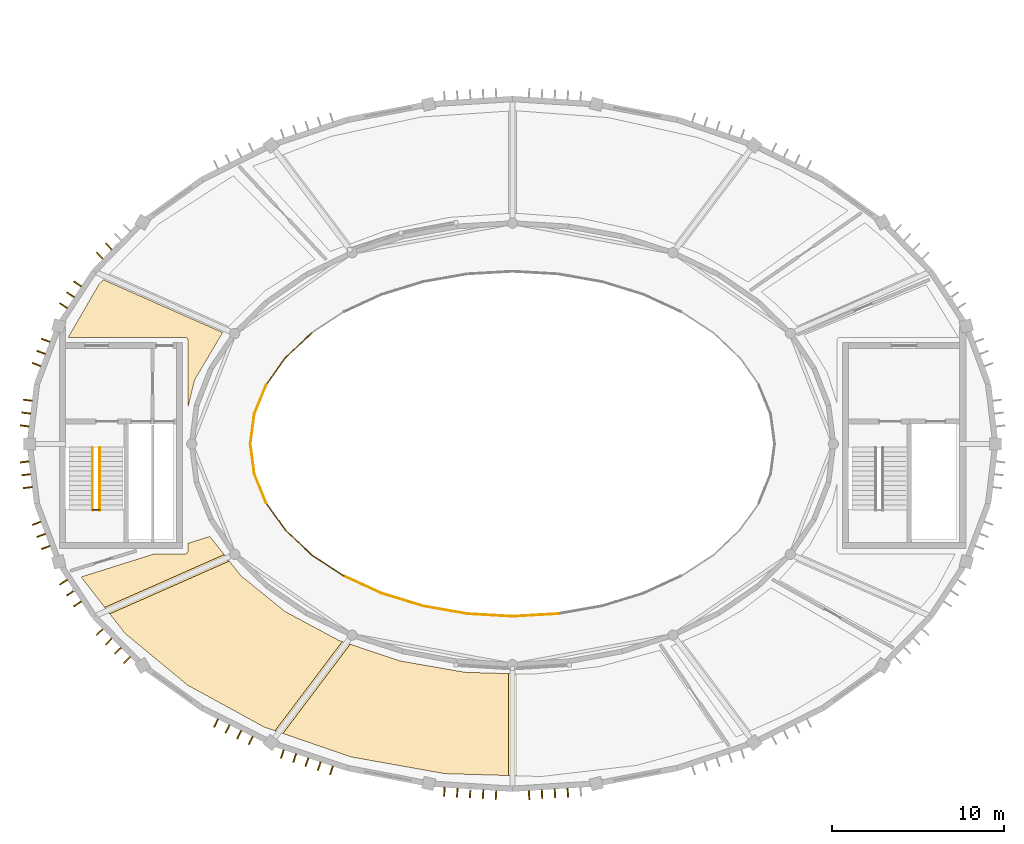
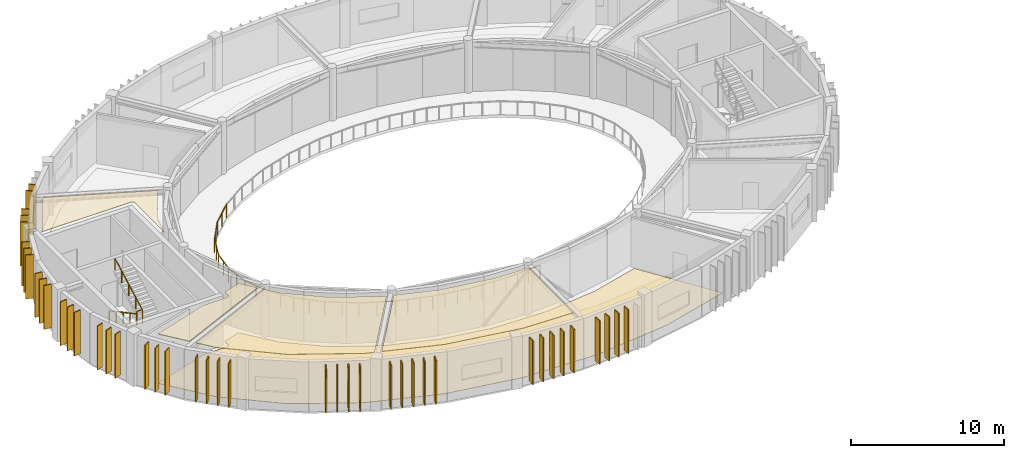
# One storey, part 24 of 29: 42 shading devices, 17 railings, 5 coverings.
"""IFC4 building model written with IfcOpenShell, lengths in metres."""

from ifc_helpers import new_model, si_unit, direction, frame, origin, origin_2d, place, context, subcontext, project, spatial, polyline, rectangle, circle, outline, extrude, material, layer, layer_set, type_object, element, save


model = new_model("IFC4")

# Units and contexts
model_context = context("Model", 3, precision=1e-05, world=origin(), true_north=direction((0.0, 1.0)))
body_context = subcontext(model_context, "Body", "Model", "MODEL_VIEW")
ifc_project = project(units=[si_unit("LENGTHUNIT", "METRE"), si_unit("AREAUNIT", "SQUARE_METRE"), si_unit("VOLUMEUNIT", "CUBIC_METRE"), si_unit("PLANEANGLEUNIT", "RADIAN"), si_unit("MASSUNIT", "GRAM", prefix="KILO")], contexts=[model_context])

# Site, building, storey
site_placement = place(None, origin())
site = spatial("IfcSite", under=ifc_project, at=site_placement, CompositionType="ELEMENT")
building_placement = place(site_placement, origin())
building = spatial("IfcBuilding", under=site, at=building_placement, Name="Tarnveldt Headland Concert Hall", CompositionType="ELEMENT")
storey_placement = place(building_placement, frame((0.0, 0.0, 18.60009765625)))
storey = spatial("IfcBuildingStorey", under=building, at=storey_placement, Name="L04", CompositionType="ELEMENT", Elevation=18.60009765625)

# Coverings
ifc_material_1 = material(Name="Micro-perforated mvule acoustic ceiling panel", Category="timber")
ifc_layer_1 = layer(ifc_material_1, 0.050048828125, Name="Micro-perforated mvule acoustic ceiling panel", Category="timber")
ifc_layer_set_1 = layer_set([ifc_layer_1], Name="Micro-perforated mvule acoustic ceiling panel")
covering_type_1 = type_object("IfcCoveringType", Name="CV-CEIL50", PredefinedType="CEILING", material=ifc_layer_set_1)
covering_1_placement = place(storey_placement, frame((0.0, 0.0, 3.929931640625)))
element("IfcCovering", 1, at=covering_1_placement, inside=storey, type_object=covering_type_1, Name="Acoustic mvule ceiling L04-06-327", PredefinedType="CEILING", context=body_context, shape_type="SweptSolid", body=[
    extrude(outline(polyline([(67.775390625, 46.836181640625), (70.30810546875, 44.78515625), (70.32177734375, 44.775146484375), (70.336181640625, 44.766357421875), (73.4169921875, 43.11669921875), (73.430419921875, 43.110107421875), (73.4443359375, 43.104736328125), (73.630859375, 43.0419921875), (69.73046875, 37.8671875), (69.10205078125, 38.08349609375), (64.671630859375, 40.5048828125), (61.03466796875, 43.51123046875), (60.151611328125, 44.646728515625), (67.05615234375, 47.699951171875), (67.084228515625, 47.699951171875), (67.747802734375, 46.864013671875), (67.7607421875, 46.849365234375), (67.775390625, 46.836181640625)])), origin(), (0.0, 0.0, 1.0), 0.050048828125),
])
covering_2_placement = place(storey_placement, frame((0.0, 0.0, 3.929931640625)))
element("IfcCovering", 2, at=covering_2_placement, inside=storey, type_object=covering_type_1, Name="Acoustic mvule ceiling L04-06-328", PredefinedType="CEILING", context=body_context, shape_type="SweptSolid", body=[
    extrude(outline(polyline([(76.970703125, 41.918701171875), (80.74267578125, 41.25927734375), (80.768310546875, 41.256591796875), (83.27001953125, 41.1845703125), (83.27001953125, 35.272705078125), (79.572509765625, 35.38134765625), (74.139892578125, 36.350830078125), (70.18798828125, 37.7099609375), (74.090087890625, 42.88720703125), (76.944091796875, 41.925537109375), (76.957275390625, 41.921630859375), (76.970703125, 41.918701171875)])), origin(), (0.0, 0.0, 1.0), 0.050048828125),
])
covering_3_placement = place(storey_placement, frame((0.0, 0.0, 3.929931640625)))
element("IfcCovering", 3, at=covering_3_placement, inside=storey, type_object=covering_type_1, Name="Acoustic mvule ceiling L04-06-330", PredefinedType="CEILING", context=body_context, shape_type="SweptSolid", body=[
    extrude(outline(polyline([(64.517578125, 48.120849609375), (64.53515625, 48.12353515625), (64.55224609375, 48.127685546875), (64.56884765625, 48.1337890625), (64.5849609375, 48.141357421875), (64.60009765625, 48.150390625), (64.6142578125, 48.160888671875), (64.627197265625, 48.172607421875), (64.63916015625, 48.185791015625), (64.649658203125, 48.199951171875), (64.65869140625, 48.215087890625), (64.666259765625, 48.231201171875), (64.672119140625, 48.247802734375), (64.676513671875, 48.264892578125), (64.67919921875, 48.282470703125), (64.679931640625, 48.300048828125), (64.679931640625, 48.735107421875), (65.9462890625, 49.133544921875), (66.781494140625, 48.08154296875), (59.860595703125, 45.02099609375), (58.4873046875, 46.78662109375), (62.72509765625, 48.1201171875), (64.5, 48.1201171875), (64.517578125, 48.120849609375)])), origin(), (0.0, 0.0, 1.0), 0.050048828125),
])
covering_4_placement = place(storey_placement, frame((0.0, 0.0, 3.929931640625)))
element("IfcCovering", 4, at=covering_4_placement, inside=storey, type_object=covering_type_1, Name="Acoustic mvule ceiling L04-10-339", PredefinedType="CEILING", context=body_context, shape_type="SweptSolid", body=[
    extrude(outline(polyline([(66.682373046875, 60.936767578125), (66.674072265625, 60.923828125), (65.0810546875, 58.22998046875), (65.072998046875, 58.21435546875), (65.066162109375, 58.197998046875), (65.061279296875, 58.181396484375), (64.679931640625, 56.626708984375), (64.679931640625, 60.5), (64.67919921875, 60.517578125), (64.676513671875, 60.53515625), (64.672119140625, 60.55224609375), (64.666259765625, 60.56884765625), (64.65869140625, 60.5849609375), (64.649658203125, 60.60009765625), (64.63916015625, 60.6142578125), (64.627197265625, 60.627197265625), (64.6142578125, 60.63916015625), (64.60009765625, 60.649658203125), (64.5849609375, 60.65869140625), (64.56884765625, 60.666259765625), (64.55224609375, 60.672119140625), (64.53515625, 60.676513671875), (64.517578125, 60.67919921875), (64.5, 60.679931640625), (57.73974609375, 60.679931640625), (59.514892578125, 63.744384765625), (59.781494140625, 64.01416015625), (66.697998046875, 60.955322265625), (66.691650390625, 60.94873046875), (66.682373046875, 60.936767578125)])), origin(), (0.0, 0.0, 1.0), 0.050048828125),
])
ifc_material_2 = material(Name="Polished coral-aggregate cementitious terrazzo flooring", Category="concrete")
ifc_layer_2 = layer(ifc_material_2, 0.034912109375, Name="Polished coral-aggregate cementitious terrazzo flooring", Category="concrete")
ifc_layer_set_2 = layer_set([ifc_layer_2], Name="Polished coral-aggregate cementitious terrazzo flooring")
covering_type_2 = type_object("IfcCoveringType", Name="CV-FLOR35", PredefinedType="FLOORING", material=ifc_layer_set_2)
covering_5_placement = place(storey_placement, origin())
element("IfcCovering", 5, at=covering_5_placement, inside=storey, type_object=covering_type_2, Name="Architectural flooring L04-06-116", PredefinedType="FLOORING", context=body_context, shape_type="SweptSolid", body=[
    extrude(outline(polyline([(66.991943359375, 47.699951171875), (67.084228515625, 47.699951171875), (67.747802734375, 46.864013671875), (67.7607421875, 46.849365234375), (67.775390625, 46.836181640625), (70.30810546875, 44.78515625), (70.32177734375, 44.775146484375), (70.336181640625, 44.766357421875), (73.4169921875, 43.11669921875), (73.430419921875, 43.110107421875), (73.4443359375, 43.104736328125), (76.944091796875, 41.925537109375), (76.957275390625, 41.921630859375), (76.970703125, 41.918701171875), (80.74267578125, 41.25927734375), (80.768310546875, 41.256591796875), (84.65478515625, 41.144775390625), (84.680419921875, 41.145751953125), (88.51806640625, 41.5859375), (88.53125, 41.587890625), (88.544189453125, 41.591064453125), (92.049560546875, 42.531982421875), (95.69287109375, 37.232177734375), (90.698974609375, 35.86376953125), (85.1708984375, 35.216796875), (79.572509765625, 35.38134765625), (74.139892578125, 36.350830078125), (69.10205078125, 38.08349609375), (64.671630859375, 40.5048828125), (61.03466796875, 43.51123046875), (58.4873046875, 46.78662109375), (62.72509765625, 48.1201171875), (64.5, 48.1201171875), (64.517578125, 48.120849609375), (64.53515625, 48.12353515625), (64.55224609375, 48.127685546875), (64.56884765625, 48.1337890625), (64.5849609375, 48.141357421875), (64.60009765625, 48.150390625), (64.6142578125, 48.160888671875), (64.627197265625, 48.172607421875), (64.63916015625, 48.185791015625), (64.649658203125, 48.199951171875), (64.65869140625, 48.215087890625), (64.666259765625, 48.231201171875), (64.672119140625, 48.247802734375), (64.676513671875, 48.264892578125), (64.67919921875, 48.282470703125), (64.679931640625, 48.300048828125), (64.679931640625, 48.735107421875), (65.9462890625, 49.133544921875), (66.991943359375, 47.81640625), (66.991943359375, 47.699951171875)])), origin(), (0.0, 0.0, 1.0), 0.034912109375),
])

# Railings
ifc_material_3 = material(Name="Marine stainless steel", Category="steel")
ifc_layer_3 = layer(ifc_material_3, 0.06005859375, Name="Marine stainless steel", Category="steel")
ifc_layer_set_3 = layer_set([ifc_layer_3], Name="Marine stainless steel")
railing_type_1 = type_object("IfcRailingType", Name="RL-GRD110", PredefinedType="GUARDRAIL", material=ifc_layer_set_3)
railing_1_placement = place(storey_placement, frame((59.14990234375, 50.679931640625, 2.099853515625)))
element("IfcRailing", 6, at=railing_1_placement, inside=storey, type_object=railing_type_1, Name="GUARD STR-C1-L04 half-landing well", PredefinedType="GUARDRAIL", context=body_context, shape_type="SweptSolid", body=[
    extrude(circle(Radius=0.02392578125, at=origin_2d()), frame((0.0, 0.0, 1.076171875), z_axis=(1.0, 0.0, 0.0), x_axis=(0.0, 1.0, 0.0)), (0.0, 0.0, 1.0), 0.420166015625),
    extrude(circle(Radius=0.02099609375, at=origin_2d()), origin(), (0.0, 0.0, 1.0), 1.052001953125),
    extrude(circle(Radius=0.02099609375, at=origin_2d()), frame((0.420166015625, 0.0, 0.0)), (0.0, 0.0, 1.0), 1.052001953125),
])
railing_2_placement = place(storey_placement, frame((71.856201171875, 60.927978515625, 0.0)))
element("IfcRailing", 7, at=railing_2_placement, inside=storey, type_object=railing_type_1, Name="GUARD Auditorium void guardrail L04 15", PredefinedType="GUARDRAIL", context=body_context, shape_type="SweptSolid", body=[
    extrude(circle(Radius=0.02392578125, at=origin_2d()), frame((0.0, 0.0, 1.076171875), z_axis=(-0.728773712747, -0.684754609776, 0.0), x_axis=(0.684754609776, -0.728773712747, 0.0)), (0.0, 0.0, 1.0), 2.08544921875),
    extrude(circle(Radius=0.02099609375, at=origin_2d()), origin(), (0.0, 0.0, 1.0), 1.052001953125),
    extrude(circle(Radius=0.02099609375, at=origin_2d()), frame((-0.759765625, -0.7138671875, 0.0)), (0.0, 0.0, 1.0), 1.052001953125),
    extrude(circle(Radius=0.02099609375, at=origin_2d()), frame((-1.519775390625, -1.427978515625, 0.0)), (0.0, 0.0, 1.0), 1.052001953125),
])
railing_3_placement = place(storey_placement, frame((70.33642578125, 59.5, 0.0)))
element("IfcRailing", 8, at=railing_3_placement, inside=storey, type_object=railing_type_1, Name="GUARD Auditorium void guardrail L04 16", PredefinedType="GUARDRAIL", context=body_context, shape_type="SweptSolid", body=[
    extrude(circle(Radius=0.02392578125, at=origin_2d()), frame((0.0, 0.0, 1.076171875), z_axis=(-0.578216724182, -0.815883214606, 0.0), x_axis=(0.815883214606, -0.578216724182, 0.0)), (0.0, 0.0, 1.0), 1.936279296875),
    extrude(circle(Radius=0.02099609375, at=origin_2d()), origin(), (0.0, 0.0, 1.0), 1.052001953125),
    extrude(circle(Radius=0.02099609375, at=origin_2d()), frame((-0.559814453125, -0.7900390625, 0.0)), (0.0, 0.0, 1.0), 1.052001953125),
    extrude(circle(Radius=0.02099609375, at=origin_2d()), frame((-1.11962890625, -1.579833984375, 0.0)), (0.0, 0.0, 1.0), 1.052001953125),
])
railing_4_placement = place(storey_placement, frame((69.216796875, 57.920166015625, 0.0)))
element("IfcRailing", 9, at=railing_4_placement, inside=storey, type_object=railing_type_1, Name="GUARD Auditorium void guardrail L04 17", PredefinedType="GUARDRAIL", context=body_context, shape_type="SweptSolid", body=[
    extrude(circle(Radius=0.02392578125, at=origin_2d()), frame((0.0, 0.0, 1.076171875), z_axis=(-0.377241429706, -0.926114951674, 0.0), x_axis=(0.926114951674, -0.377241429706, 0.0)), (0.0, 0.0, 1.0), 1.81787109375),
    extrude(circle(Radius=0.02099609375, at=origin_2d()), origin(), (0.0, 0.0, 1.0), 1.052001953125),
    extrude(circle(Radius=0.02099609375, at=origin_2d()), frame((-0.3427734375, -0.841796875, 0.0)), (0.0, 0.0, 1.0), 1.052001953125),
    extrude(circle(Radius=0.02099609375, at=origin_2d()), frame((-0.685791015625, -1.68359375, 0.0)), (0.0, 0.0, 1.0), 1.052001953125),
])
railing_5_placement = place(storey_placement, frame((68.531005859375, 56.236572265625, 0.0)))
element("IfcRailing", 10, at=railing_5_placement, inside=storey, type_object=railing_type_1, Name="GUARD Auditorium void guardrail L04 18", PredefinedType="GUARDRAIL", context=body_context, shape_type="SweptSolid", body=[
    extrude(circle(Radius=0.02392578125, at=origin_2d()), frame((0.0, 0.0, 1.076171875), z_axis=(-0.131835089673, -0.991271662629, 0.0), x_axis=(0.991271662629, -0.131835089673, 0.0)), (0.0, 0.0, 1.0), 1.751953125),
    extrude(circle(Radius=0.02099609375, at=origin_2d()), origin(), (0.0, 0.0, 1.0), 1.052001953125),
    extrude(circle(Radius=0.02099609375, at=origin_2d()), frame((-0.115478515625, -0.8681640625, 0.0)), (0.0, 0.0, 1.0), 1.052001953125),
    extrude(circle(Radius=0.02099609375, at=origin_2d()), frame((-0.23095703125, -1.736572265625, 0.0)), (0.0, 0.0, 1.0), 1.052001953125),
])
railing_6_placement = place(storey_placement, frame((68.300048828125, 54.5, 0.0)))
element("IfcRailing", 11, at=railing_6_placement, inside=storey, type_object=railing_type_1, Name="GUARD Auditorium void guardrail L04 19", PredefinedType="GUARDRAIL", context=body_context, shape_type="SweptSolid", body=[
    extrude(circle(Radius=0.02392578125, at=origin_2d()), frame((0.0, 0.0, 1.076171875), z_axis=(0.131835089673, -0.991271662629, 0.0), x_axis=(0.991271662629, 0.131835089673, 0.0)), (0.0, 0.0, 1.0), 1.751953125),
    extrude(circle(Radius=0.02099609375, at=origin_2d()), origin(), (0.0, 0.0, 1.0), 1.052001953125),
    extrude(circle(Radius=0.02099609375, at=origin_2d()), frame((0.115478515625, -0.8681640625, 0.0)), (0.0, 0.0, 1.0), 1.052001953125),
    extrude(circle(Radius=0.02099609375, at=origin_2d()), frame((0.23095703125, -1.736572265625, 0.0)), (0.0, 0.0, 1.0), 1.052001953125),
])
railing_7_placement = place(storey_placement, frame((68.531005859375, 52.763427734375, 0.0)))
element("IfcRailing", 12, at=railing_7_placement, inside=storey, type_object=railing_type_1, Name="GUARD Auditorium void guardrail L04 20", PredefinedType="GUARDRAIL", context=body_context, shape_type="SweptSolid", body=[
    extrude(circle(Radius=0.02392578125, at=origin_2d()), frame((0.0, 0.0, 1.076171875), z_axis=(0.377241429706, -0.926114951674, 0.0), x_axis=(0.926114951674, 0.377241429706, 0.0)), (0.0, 0.0, 1.0), 1.81787109375),
    extrude(circle(Radius=0.02099609375, at=origin_2d()), origin(), (0.0, 0.0, 1.0), 1.052001953125),
    extrude(circle(Radius=0.02099609375, at=origin_2d()), frame((0.3427734375, -0.841796875, 0.0)), (0.0, 0.0, 1.0), 1.052001953125),
    extrude(circle(Radius=0.02099609375, at=origin_2d()), frame((0.685791015625, -1.68359375, 0.0)), (0.0, 0.0, 1.0), 1.052001953125),
])
railing_8_placement = place(storey_placement, frame((69.216796875, 51.079833984375, 0.0)))
element("IfcRailing", 13, at=railing_8_placement, inside=storey, type_object=railing_type_1, Name="GUARD Auditorium void guardrail L04 21", PredefinedType="GUARDRAIL", context=body_context, shape_type="SweptSolid", body=[
    extrude(circle(Radius=0.02392578125, at=origin_2d()), frame((0.0, 0.0, 1.076171875), z_axis=(0.578216724182, -0.815883214606, 0.0), x_axis=(0.815883214606, 0.578216724182, 0.0)), (0.0, 0.0, 1.0), 1.936279296875),
    extrude(circle(Radius=0.02099609375, at=origin_2d()), origin(), (0.0, 0.0, 1.0), 1.052001953125),
    extrude(circle(Radius=0.02099609375, at=origin_2d()), frame((0.559814453125, -0.7900390625, 0.0)), (0.0, 0.0, 1.0), 1.052001953125),
    extrude(circle(Radius=0.02099609375, at=origin_2d()), frame((1.11962890625, -1.579833984375, 0.0)), (0.0, 0.0, 1.0), 1.052001953125),
])
railing_9_placement = place(storey_placement, frame((70.33642578125, 49.5, 0.0)))
element("IfcRailing", 14, at=railing_9_placement, inside=storey, type_object=railing_type_1, Name="GUARD Auditorium void guardrail L04 22", PredefinedType="GUARDRAIL", context=body_context, shape_type="SweptSolid", body=[
    extrude(circle(Radius=0.02392578125, at=origin_2d()), frame((0.0, 0.0, 1.076171875), z_axis=(0.728773712747, -0.684754609776, 0.0), x_axis=(0.684754609776, 0.728773712747, 0.0)), (0.0, 0.0, 1.0), 2.08544921875),
    extrude(circle(Radius=0.02099609375, at=origin_2d()), origin(), (0.0, 0.0, 1.0), 1.052001953125),
    extrude(circle(Radius=0.02099609375, at=origin_2d()), frame((0.759765625, -0.7138671875, 0.0)), (0.0, 0.0, 1.0), 1.052001953125),
    extrude(circle(Radius=0.02099609375, at=origin_2d()), frame((1.519775390625, -1.427978515625, 0.0)), (0.0, 0.0, 1.0), 1.052001953125),
])
railing_10_placement = place(storey_placement, frame((71.856201171875, 48.072021484375, 0.0)))
element("IfcRailing", 15, at=railing_10_placement, inside=storey, type_object=railing_type_1, Name="GUARD Auditorium void guardrail L04 23", PredefinedType="GUARDRAIL", context=body_context, shape_type="SweptSolid", body=[
    extrude(circle(Radius=0.02392578125, at=origin_2d()), frame((0.0, 0.0, 1.076171875), z_axis=(0.835418397825, -0.549614501788, 0.0), x_axis=(0.549614501788, 0.835418397825, 0.0)), (0.0, 0.0, 1.0), 2.242431640625),
    extrude(circle(Radius=0.02099609375, at=origin_2d()), origin(), (0.0, 0.0, 1.0), 1.052001953125),
    extrude(circle(Radius=0.02099609375, at=origin_2d()), frame((0.9365234375, -0.6162109375, 0.0)), (0.0, 0.0, 1.0), 1.052001953125),
    extrude(circle(Radius=0.02099609375, at=origin_2d()), frame((1.873291015625, -1.232421875, 0.0)), (0.0, 0.0, 1.0), 1.052001953125),
])
railing_11_placement = place(storey_placement, frame((73.7294921875, 46.839599609375, 0.0)))
element("IfcRailing", 16, at=railing_11_placement, inside=storey, type_object=railing_type_1, Name="GUARD Auditorium void guardrail L04 24", PredefinedType="GUARDRAIL", context=body_context, shape_type="SweptSolid", body=[
    extrude(circle(Radius=0.02392578125, at=origin_2d()), frame((0.0, 0.0, 1.076171875), z_axis=(0.908234283008, -0.418462049854, 0.0), x_axis=(0.418462049854, 0.908234283008, 0.0)), (0.0, 0.0, 1.0), 2.3896484375),
    extrude(circle(Radius=0.02099609375, at=origin_2d()), origin(), (0.0, 0.0, 1.0), 1.052001953125),
    extrude(circle(Radius=0.02099609375, at=origin_2d()), frame((1.085205078125, -0.5, 0.0)), (0.0, 0.0, 1.0), 1.052001953125),
    extrude(circle(Radius=0.02099609375, at=origin_2d()), frame((2.17041015625, -1.0, 0.0)), (0.0, 0.0, 1.0), 1.052001953125),
])
railing_12_placement = place(storey_placement, frame((75.89990234375, 45.839599609375, 0.0)))
element("IfcRailing", 17, at=railing_12_placement, inside=storey, type_object=railing_type_1, Name="GUARD Auditorium void guardrail L04 25", PredefinedType="GUARDRAIL", context=body_context, shape_type="SweptSolid", body=[
    extrude(circle(Radius=0.02392578125, at=origin_2d()), frame((0.0, 0.0, 1.076171875), z_axis=(0.956037133001, -0.293245631381, 0.0), x_axis=(0.293245631381, 0.956037133001, 0.0)), (0.0, 0.0, 1.0), 2.51171875),
    extrude(circle(Radius=0.02099609375, at=origin_2d()), origin(), (0.0, 0.0, 1.0), 1.052001953125),
    extrude(circle(Radius=0.02099609375, at=origin_2d()), frame((0.800537109375, -0.24560546875, 0.0)), (0.0, 0.0, 1.0), 1.052001953125),
    extrude(circle(Radius=0.02099609375, at=origin_2d()), frame((1.600830078125, -0.490966796875, 0.0)), (0.0, 0.0, 1.0), 1.052001953125),
    extrude(circle(Radius=0.02099609375, at=origin_2d()), frame((2.4013671875, -0.736572265625, 0.0)), (0.0, 0.0, 1.0), 1.052001953125),
])
railing_13_placement = place(storey_placement, frame((78.30126953125, 45.10302734375, 0.0)))
element("IfcRailing", 18, at=railing_13_placement, inside=storey, type_object=railing_type_1, Name="GUARD Auditorium void guardrail L04 26", PredefinedType="GUARDRAIL", context=body_context, shape_type="SweptSolid", body=[
    extrude(circle(Radius=0.02392578125, at=origin_2d()), frame((0.0, 0.0, 1.076171875), z_axis=(0.984814752515, -0.173608476834, 0.0), x_axis=(0.173608476834, 0.984814752515, 0.0)), (0.0, 0.0, 1.0), 2.598876953125),
    extrude(circle(Radius=0.02099609375, at=origin_2d()), origin(), (0.0, 0.0, 1.0), 1.052001953125),
    extrude(circle(Radius=0.02099609375, at=origin_2d()), frame((0.85302734375, -0.150390625, 0.0)), (0.0, 0.0, 1.0), 1.052001953125),
    extrude(circle(Radius=0.02099609375, at=origin_2d()), frame((1.706298828125, -0.30078125, 0.0)), (0.0, 0.0, 1.0), 1.052001953125),
    extrude(circle(Radius=0.02099609375, at=origin_2d()), frame((2.559326171875, -0.451171875, 0.0)), (0.0, 0.0, 1.0), 1.052001953125),
])
railing_14_placement = place(storey_placement, frame((80.860595703125, 44.65185546875, 0.0)))
element("IfcRailing", 19, at=railing_14_placement, inside=storey, type_object=railing_type_1, Name="GUARD Auditorium void guardrail L04 27", PredefinedType="GUARDRAIL", context=body_context, shape_type="SweptSolid", body=[
    extrude(circle(Radius=0.02392578125, at=origin_2d()), frame((0.0, 0.0, 1.076171875), z_axis=(0.99834901745, -0.057439005536, 0.0), x_axis=(0.057439005536, 0.99834901745, 0.0)), (0.0, 0.0, 1.0), 2.643798828125),
    extrude(circle(Radius=0.02099609375, at=origin_2d()), origin(), (0.0, 0.0, 1.0), 1.052001953125),
    extrude(circle(Radius=0.02099609375, at=origin_2d()), frame((0.8798828125, -0.050537109375, 0.0)), (0.0, 0.0, 1.0), 1.052001953125),
    extrude(circle(Radius=0.02099609375, at=origin_2d()), frame((1.759521484375, -0.101318359375, 0.0)), (0.0, 0.0, 1.0), 1.052001953125),
    extrude(circle(Radius=0.02099609375, at=origin_2d()), frame((2.639404296875, -0.15185546875, 0.0)), (0.0, 0.0, 1.0), 1.052001953125),
])
railing_15_placement = place(storey_placement, frame((83.5, 44.5, 0.0)))
element("IfcRailing", 20, at=railing_15_placement, inside=storey, type_object=railing_type_1, Name="GUARD Auditorium void guardrail L04 28", PredefinedType="GUARDRAIL", context=body_context, shape_type="SweptSolid", body=[
    extrude(circle(Radius=0.02392578125, at=origin_2d()), frame((0.0, 0.0, 1.076171875), z_axis=(0.99834901745, 0.057439005536, 0.0), x_axis=(-0.057439005536, 0.99834901745, 0.0)), (0.0, 0.0, 1.0), 2.643798828125),
    extrude(circle(Radius=0.02099609375, at=origin_2d()), origin(), (0.0, 0.0, 1.0), 1.052001953125),
    extrude(circle(Radius=0.02099609375, at=origin_2d()), frame((0.8798828125, 0.050537109375, 0.0)), (0.0, 0.0, 1.0), 1.052001953125),
    extrude(circle(Radius=0.02099609375, at=origin_2d()), frame((1.759521484375, 0.101318359375, 0.0)), (0.0, 0.0, 1.0), 1.052001953125),
    extrude(circle(Radius=0.02099609375, at=origin_2d()), frame((2.639404296875, 0.15185546875, 0.0)), (0.0, 0.0, 1.0), 1.052001953125),
])
ifc_layer_4 = layer(ifc_material_3, 0.048095703125, Name="Marine stainless steel", Category="steel")
ifc_layer_set_4 = layer_set([ifc_layer_4], Name="Marine stainless steel")
railing_type_2 = type_object("IfcRailingType", Name="RL-HND092", PredefinedType="HANDRAIL", material=ifc_layer_set_4)
railing_16_placement = place(storey_placement, frame((59.14990234375, 54.280029296875, 0.14990234375)))
element("IfcRailing", 21, at=railing_16_placement, inside=storey, type_object=railing_type_2, Name="HANDRAIL STR-C1-L04 flight 1", PredefinedType="HANDRAIL", context=body_context, shape_type="SweptSolid", body=[
    extrude(circle(Radius=0.02392578125, at=origin_2d()), frame((0.0, 0.0, 0.89599609375), z_axis=(0.0, -0.881492274372, 0.472198443689), x_axis=(1.0, 0.0, 0.0)), (0.0, 0.0, 1.0), 4.12939453125),
    extrude(circle(Radius=0.02099609375, at=origin_2d()), origin(), (0.0, 0.0, 1.0), 0.871826171875),
    extrude(circle(Radius=0.02099609375, at=origin_2d()), frame((0.0, -0.91015625, 0.487548828125)), (0.0, 0.0, 1.0), 0.871826171875),
    extrude(circle(Radius=0.02099609375, at=origin_2d()), frame((0.0, -1.820068359375, 0.97509765625)), (0.0, 0.0, 1.0), 0.871826171875),
    extrude(circle(Radius=0.02099609375, at=origin_2d()), frame((0.0, -2.72998046875, 1.46240234375)), (0.0, 0.0, 1.0), 0.871826171875),
    extrude(circle(Radius=0.02099609375, at=origin_2d()), frame((0.0, -3.64013671875, 1.949951171875)), (0.0, 0.0, 1.0), 0.871826171875),
])
railing_17_placement = place(storey_placement, frame((59.570068359375, 50.639892578125, 2.25)))
element("IfcRailing", 22, at=railing_17_placement, inside=storey, type_object=railing_type_2, Name="HANDRAIL STR-C1-L04 flight 2", PredefinedType="HANDRAIL", context=body_context, shape_type="SweptSolid", body=[
    extrude(circle(Radius=0.02392578125, at=origin_2d()), frame((0.0, 0.0, 0.89599609375), z_axis=(0.0, 0.881492274372, 0.472198443689), x_axis=(-1.0, 0.0, 0.0)), (0.0, 0.0, 1.0), 4.12939453125),
    extrude(circle(Radius=0.02099609375, at=origin_2d()), origin(), (0.0, 0.0, 1.0), 0.871826171875),
    extrude(circle(Radius=0.02099609375, at=origin_2d()), frame((0.0, 0.91015625, 0.487548828125)), (0.0, 0.0, 1.0), 0.871826171875),
    extrude(circle(Radius=0.02099609375, at=origin_2d()), frame((0.0, 1.820068359375, 0.97509765625)), (0.0, 0.0, 1.0), 0.871826171875),
    extrude(circle(Radius=0.02099609375, at=origin_2d()), frame((0.0, 2.72998046875, 1.46240234375)), (0.0, 0.0, 1.0), 0.871826171875),
    extrude(circle(Radius=0.02099609375, at=origin_2d()), frame((0.0, 3.64013671875, 1.949951171875)), (0.0, 0.0, 1.0), 0.871826171875),
])

# Shading devices
ifc_material_4 = material(Name="Terracotta-anodised aluminium EN AW-6063-T6", Category="masonry")
shading_device_type = type_object("IfcShadingDeviceType", Name="SD-FIN520", PredefinedType="USERDEFINED", material=ifc_material_4)
for number, where, z_axis, x_axis, name in (
    (23, (60.09033203125, 65.952392578125, 0.25), (0.0, 0.0, 1.0), (-0.714106238843, 0.700037341608, 0.0), "Drum terracotta acoustic solar fin L04-139"),
    (24, (59.5654296875, 65.416748046875, 0.25), (0.0, 0.0, 1.0), (-0.714106238843, 0.700037341608, 0.0), "Drum terracotta acoustic solar fin L04-140"),
    (25, (58.2802734375, 63.7763671875, 0.25), (0.0, 0.0, 1.0), (-0.837337261414, 0.546686665878, 0.0), "Drum terracotta acoustic solar fin L04-141"),
    (26, (57.870361328125, 63.1484375, 0.25), (0.0, 0.0, 1.0), (-0.837337261414, 0.546686665878, 0.0), "Drum terracotta acoustic solar fin L04-142"),
    (27, (57.46044921875, 62.5205078125, 0.25), (0.0, 0.0, 1.0), (-0.837337261414, 0.546686665878, 0.0), "Drum terracotta acoustic solar fin L04-143"),
    (28, (56.429443359375, 60.505615234375, 0.25), (0.0, 0.0, 1.0), (-0.936304939415, 0.35118806988, 0.0), "Drum terracotta acoustic solar fin L04-144"),
    (29, (56.166015625, 59.80322265625, 0.25), (0.0, 0.0, 1.0), (-0.936304939415, 0.35118806988, 0.0), "Drum terracotta acoustic solar fin L04-145"),
    (30, (55.902587890625, 59.10107421875, 0.25), (0.0, 0.0, 1.0), (-0.936304939415, 0.35118806988, 0.0), "Drum terracotta acoustic solar fin L04-146"),
    (31, (55.389404296875, 57.03173828125, 0.25), (0.0, 0.0, 1.0), (-0.992588631597, 0.121522872021, 0.0), "Drum terracotta acoustic solar fin L04-147"),
    (32, (55.29833984375, 56.287353515625, 0.25), (0.0, 0.0, 1.0), (-0.992588631597, 0.121522872021, 0.0), "Drum terracotta acoustic solar fin L04-148"),
    (33, (55.20703125, 55.542724609375, 0.25), (0.0, 0.0, 1.0), (-0.992588631597, 0.121522872021, 0.0), "Drum terracotta acoustic solar fin L04-149"),
    (34, (55.20703125, 53.457275390625, 0.25), (0.0, 0.0, 1.0), (-0.992588631597, -0.121522872021, 0.0), "Drum terracotta acoustic solar fin L04-150"),
    (35, (55.29833984375, 52.712646484375, 0.25), (0.0, 0.0, 1.0), (-0.992588631597, -0.121522872021, 0.0), "Drum terracotta acoustic solar fin L04-151"),
    (36, (55.389404296875, 51.96826171875, 0.25), (0.0, 0.0, 1.0), (-0.992588631597, -0.121522872021, 0.0), "Drum terracotta acoustic solar fin L04-152"),
    (37, (55.902587890625, 49.89892578125, 0.25), (0.0, 0.0, 1.0), (-0.936304939415, -0.35118806988, 0.0), "Drum terracotta acoustic solar fin L04-153"),
    (38, (56.166015625, 49.19677734375, 0.25), (0.0, 0.0, 1.0), (-0.936304939415, -0.35118806988, 0.0), "Drum terracotta acoustic solar fin L04-154"),
    (39, (56.429443359375, 48.494384765625, 0.25), (0.0, 0.0, 1.0), (-0.936304939415, -0.35118806988, 0.0), "Drum terracotta acoustic solar fin L04-155"),
    (40, (57.46044921875, 46.4794921875, 0.25), (0.0, 0.0, 1.0), (-0.837337261414, -0.546686665878, 0.0), "Drum terracotta acoustic solar fin L04-156"),
    (41, (57.870361328125, 45.8515625, 0.25), (0.0, 0.0, 1.0), (-0.837337261414, -0.546686665878, 0.0), "Drum terracotta acoustic solar fin L04-157"),
    (42, (58.2802734375, 45.2236328125, 0.25), (0.0, 0.0, 1.0), (-0.837337261414, -0.546686665878, 0.0), "Drum terracotta acoustic solar fin L04-158"),
    (43, (59.5654296875, 43.583251953125, 0.25), (0.0, 0.0, 1.0), (-0.714106238843, -0.700037341608, 0.0), "Drum terracotta acoustic solar fin L04-159"),
    (44, (60.09033203125, 43.047607421875, 0.25), (0.0, 0.0, 1.0), (-0.714106238843, -0.700037341608, 0.0), "Drum terracotta acoustic solar fin L04-160"),
    (45, (60.615478515625, 42.511962890625, 0.25), (0.0, 0.0, 1.0), (-0.714106238843, -0.700037341608, 0.0), "Drum terracotta acoustic solar fin L04-161"),
    (46, (61.140380859375, 41.9765625, 0.25), (0.0, 0.0, 1.0), (-0.714106238843, -0.700037341608, 0.0), "Drum terracotta acoustic solar fin L04-162"),
    (47, (66.30810546875, 38.30908203125, 0.25), (0.0, 0.0, 1.0), (-0.447290848419, -0.89438856037, 0.0), "Drum terracotta acoustic solar fin L04-163"),
    (48, (66.978759765625, 37.9736328125, 0.25), (0.0, 0.0, 1.0), (-0.447290848419, -0.89438856037, 0.0), "Drum terracotta acoustic solar fin L04-164"),
    (49, (67.649658203125, 37.63818359375, 0.25), (0.0, 0.0, 1.0), (-0.447290848419, -0.89438856037, 0.0), "Drum terracotta acoustic solar fin L04-165"),
    (50, (68.3203125, 37.302734375, 0.25), (0.0, 0.0, 1.0), (-0.447290848419, -0.89438856037, 0.0), "Drum terracotta acoustic solar fin L04-166"),
    (51, (70.156494140625, 36.520751953125, 0.25), (0.0, 0.0, 1.0), (-0.315980237922, -0.948765771538, 0.0), "Drum terracotta acoustic solar fin L04-167"),
    (52, (70.8681640625, 36.28369140625, 0.25), (0.0, 0.0, 1.0), (-0.315980237922, -0.948765771538, 0.0), "Drum terracotta acoustic solar fin L04-168"),
    (53, (71.579833984375, 36.046630859375, 0.25), (0.0, 0.0, 1.0), (-0.315980237922, -0.948765771538, 0.0), "Drum terracotta acoustic solar fin L04-169"),
    (54, (72.291259765625, 35.809814453125, 0.25), (0.0, 0.0, 1.0), (-0.315980237922, -0.948765771538, 0.0), "Drum terracotta acoustic solar fin L04-170"),
    (55, (73.0029296875, 35.57275390625, 0.25), (0.0, 0.0, 1.0), (-0.315980237922, -0.948765771538, 0.0), "Drum terracotta acoustic solar fin L04-171"),
    (56, (79.5458984375, 34.328857421875, 0.25), (0.0, 0.0, 1.0), (-0.062442138662, -0.998048585651, 0.0), "Drum terracotta acoustic solar fin L04-172"),
    (57, (80.29443359375, 34.281982421875, 0.25), (0.0, 0.0, 1.0), (-0.062442138662, -0.998048585651, 0.0), "Drum terracotta acoustic solar fin L04-173"),
    (58, (81.04296875, 34.235107421875, 0.25), (0.0, 0.0, 1.0), (-0.062442138662, -0.998048585651, 0.0), "Drum terracotta acoustic solar fin L04-174"),
    (59, (81.79150390625, 34.1884765625, 0.25), (0.0, 0.0, 1.0), (-0.062442138662, -0.998048585651, 0.0), "Drum terracotta acoustic solar fin L04-175"),
    (60, (82.5400390625, 34.1416015625, 0.25), (0.0, 0.0, 1.0), (-0.062442138662, -0.998048585651, 0.0), "Drum terracotta acoustic solar fin L04-176"),
    (61, (84.4599609375, 34.1416015625, 0.25), (0.0, 0.0, 1.0), (0.062442138662, -0.998048585651, 0.0), "Drum terracotta acoustic solar fin L04-177"),
    (62, (85.20849609375, 34.1884765625, 0.25), (0.0, 0.0, 1.0), (0.062442138662, -0.998048585651, 0.0), "Drum terracotta acoustic solar fin L04-178"),
    (63, (85.95703125, 34.235107421875, 0.25), (0.0, 0.0, 1.0), (0.062442138662, -0.998048585651, 0.0), "Drum terracotta acoustic solar fin L04-179"),
    (64, (86.70556640625, 34.281982421875, 0.25), (0.0, 0.0, 1.0), (0.062442138662, -0.998048585651, 0.0), "Drum terracotta acoustic solar fin L04-180"),
):
    element("IfcShadingDevice", number, at=place(storey_placement, frame(where, z_axis=z_axis, x_axis=x_axis)), inside=storey, type_object=shading_device_type, Name=name, ObjectType="FIN", PredefinedType="USERDEFINED", context=body_context, shape_type="SweptSolid", body=[
        extrude(rectangle(XDim=0.52001953125, YDim=0.080078125, at=origin_2d()), origin(), (0.0, 0.0, 1.0), 3.5),
    ])

save(model, "model.ifc")
